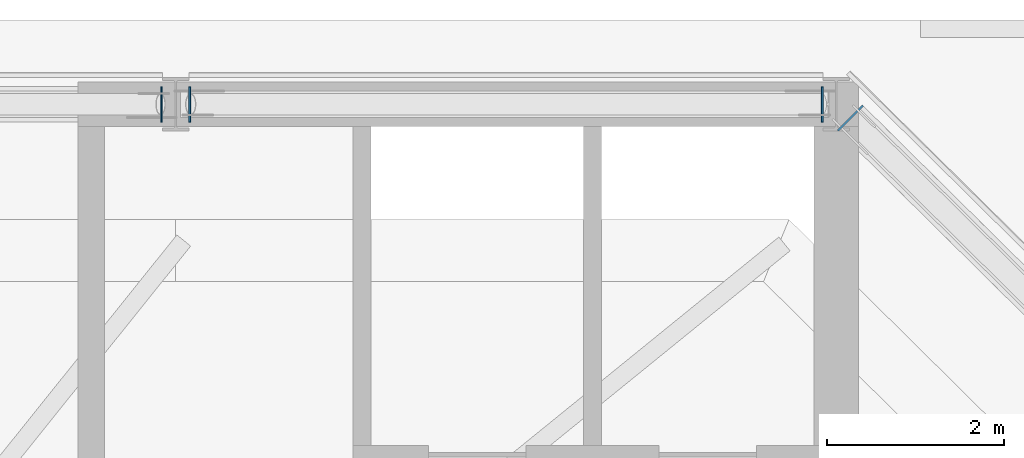
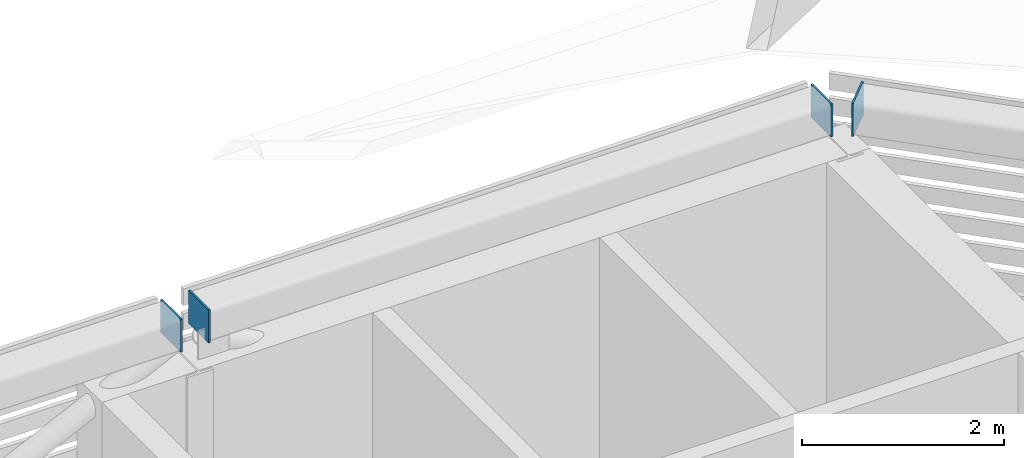
# One storey, part 13 of 22: 4 plates.
"""IFC4 building model written with IfcOpenShell, lengths in metres."""

from ifc_helpers import new_model, si_unit, direction, frame, origin, origin_2d, place, context, subcontext, project, spatial, rectangle, extrude, material, layer, layer_set, type_object, element, save


model = new_model("IFC4")

# Units and contexts
model_context = context("Model", 3, precision=1e-05, world=origin(), true_north=direction((0.0, 1.0)))
body_context = subcontext(model_context, "Body", "Model", "MODEL_VIEW")
ifc_project = project(units=[si_unit("LENGTHUNIT", "METRE"), si_unit("AREAUNIT", "SQUARE_METRE"), si_unit("VOLUMEUNIT", "CUBIC_METRE"), si_unit("PLANEANGLEUNIT", "RADIAN"), si_unit("MASSUNIT", "GRAM", prefix="KILO")], contexts=[model_context])

# Site, building, storey
site_placement = place(None, origin())
site = spatial("IfcSite", under=ifc_project, at=site_placement, CompositionType="ELEMENT")
building_placement = place(site_placement, origin())
building = spatial("IfcBuilding", under=site, at=building_placement, Name="Saffron Gate Tower", CompositionType="ELEMENT")
storey_placement = place(building_placement, frame((0.0, 0.0, 314.85009765625)))
storey = spatial("IfcBuildingStorey", under=building, at=storey_placement, Name="Roof crown", CompositionType="ELEMENT", Elevation=314.85009765625)

# Plates
ifc_material = material(Name="Structural steel S355", Category="steel")
ifc_layer = layer(ifc_material, 0.02001953125)
ifc_layer_set = layer_set([ifc_layer], Name="EP1 box end plate")
plate_type = type_object("IfcPlateType", Name="EP1 box end plate", PredefinedType="SHEET", material=ifc_layer_set)
for number, where, z_axis, x_axis, name in (
    (1, (107.80712890625, 74.494384765625, 8.25), (0.0, 0.0, 1.0), (-0.710902589283, 0.703290486606, 0.0), "RING BEAM end plate"),
    (2, (107.489990234375, 74.64990234375, 8.25), (0.0, 0.0, 1.0), (-1.0, 0.0, 0.0), "RING BEAM end plate"),
    (3, (100.360107421875, 74.64990234375, 8.25), (0.0, 0.0, 1.0), (-1.0, 0.0, 0.0), "RING BEAM end plate"),
    (4, (100.0400390625, 74.64990234375, 8.25), (0.0, 0.0, 1.0), (-1.0, 0.0, 0.0), "RING BEAM end plate"),
):
    element("IfcPlate", number, at=place(storey_placement, frame(where, z_axis=z_axis, x_axis=x_axis)), inside=storey, type_object=plate_type, Name=name, PredefinedType="SHEET", context=body_context, shape_type="SweptSolid", body=[
        extrude(rectangle(XDim=0.02001953125, YDim=0.39990234375, at=origin_2d()), origin(), (0.0, 0.0, 1.0), 0.39990234375),
    ])

save(model, "model.ifc")
